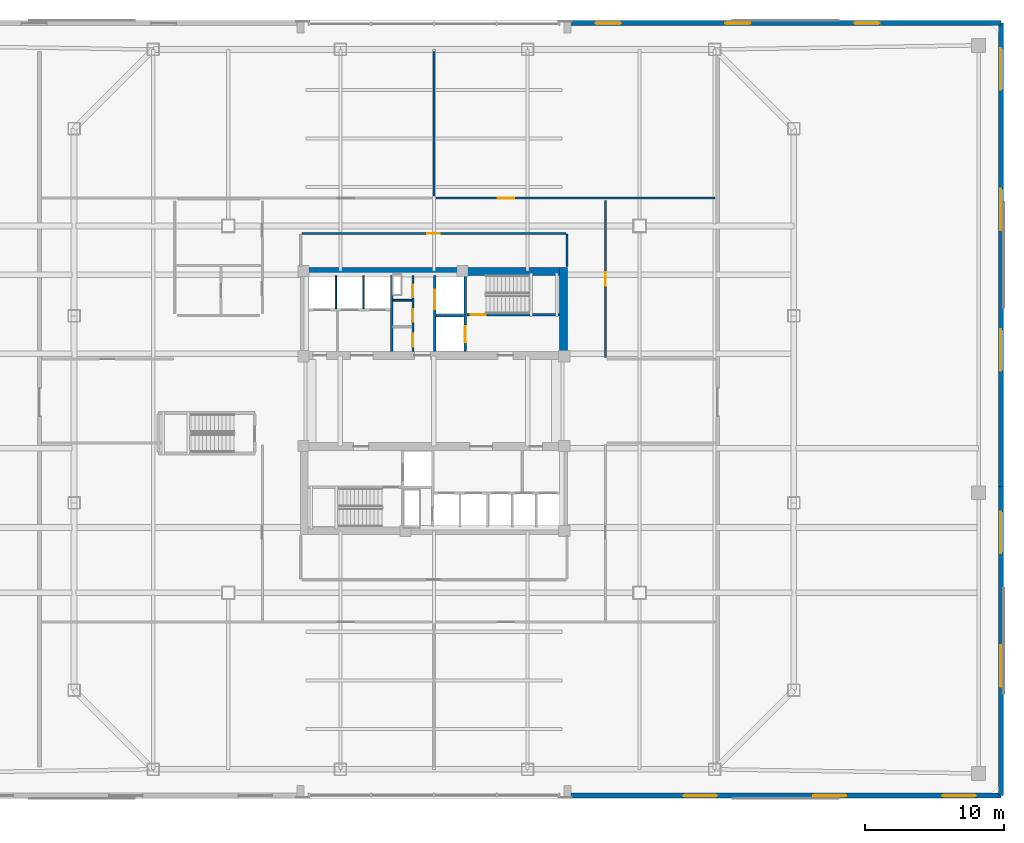
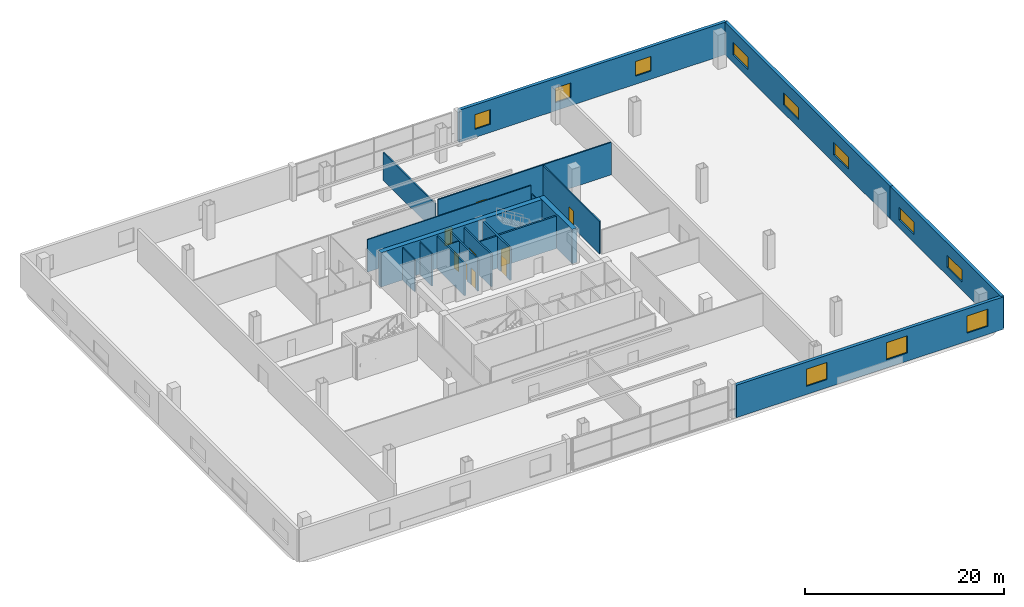
# One storey, part 14 of 21: 20 walls, 11 windows, 9 doors, 20 openings.
"""IFC4 building model written with IfcOpenShell, lengths in metres."""

from ifc_helpers import new_model, si_unit, direction, frame, frame_2d, origin, place, context, subcontext, project, spatial, rectangle, extrude, material, layer, layer_set, type_object, element, fill, save


model = new_model("IFC4")

# Units and contexts
model_context = context("Model", 3, precision=1e-05, world=origin(), true_north=direction((0.0, 1.0)))
body_context = subcontext(model_context, "Body", "Model", "MODEL_VIEW")
ifc_project = project(units=[si_unit("LENGTHUNIT", "METRE"), si_unit("AREAUNIT", "SQUARE_METRE"), si_unit("VOLUMEUNIT", "CUBIC_METRE"), si_unit("PLANEANGLEUNIT", "RADIAN"), si_unit("MASSUNIT", "GRAM", prefix="KILO")], contexts=[model_context])

# Site, building, storey
site_placement = place(None, origin())
site = spatial("IfcSite", under=ifc_project, at=site_placement, CompositionType="ELEMENT")
building_placement = place(site_placement, origin())
building = spatial("IfcBuilding", under=site, at=building_placement, Name="Qhalaya Broadcast Tower", CompositionType="ELEMENT")
storey_placement = place(building_placement, frame((0.0, 0.0, 21.89990234375)))
storey = spatial("IfcBuildingStorey", under=building, at=storey_placement, Name="L05", CompositionType="ELEMENT", Elevation=21.89990234375)

# Wall, openings, doors
ifc_material_1 = material(Name="Gypsum Acoustic Partition")
ifc_layer_1 = layer(ifc_material_1, 0.14990234375, Name="Gypsum Acoustic Partition")
ifc_layer_set_1 = layer_set([ifc_layer_1], Name="Gypsum Acoustic Partition")
wall_type_1 = type_object("IfcWallType", Name="Corridor & Tenancy Acoustic Partition 150", PredefinedType="PARTITIONING", material=ifc_layer_set_1)
wall_1_placement = place(storey_placement, frame((-1.52001953125, 4.169921875, 0.0), z_axis=(0.0, 0.0, 1.0), x_axis=(0.0, 1.0, 0.0)))
wall_1 = element("IfcWall", 1, at=wall_1_placement, inside=storey, type_object=wall_type_1, Name="L05 Partition Wall NCW-SVL", PredefinedType="PARTITIONING", context=body_context, shape_type="SweptSolid", body=[
    extrude(rectangle(XDim=5.4599609375, YDim=0.14990234375, at=frame_2d((2.72998046875, 0.0))), origin(), (0.0, 0.0, 1.0), 3.97998046875),
])
opening_1_placement = place(wall_1_placement, frame((3.89990234375, 0.0, 0.0)))
opening_1 = element("IfcOpeningElement", 2, at=opening_1_placement, cuts=wall_1, Name="Opening D06", PredefinedType="OPENING", context=body_context, shape_type="SweptSolid", body=[
    extrude(rectangle(XDim=0.89990234375, YDim=2.050048828125, at=frame_2d((0.449951171875, 1.02490234375))), frame((0.0, 0.0869140625, 0.0), z_axis=(0.0, -1.0, 0.0), x_axis=(1.0, 0.0, 0.0)), (0.0, 0.0, 1.0), 0.173828125),
])
opening_2_placement = place(wall_1_placement, frame((2.14990234375, 0.0, 0.0)))
opening_2 = element("IfcOpeningElement", 3, at=opening_2_placement, cuts=wall_1, Name="Opening D06", PredefinedType="OPENING", context=body_context, shape_type="SweptSolid", body=[
    extrude(rectangle(XDim=0.89990234375, YDim=2.050048828125, at=frame_2d((0.449951171875, 1.02490234375))), frame((0.0, 0.0869140625, 0.0), z_axis=(0.0, -1.0, 0.0), x_axis=(1.0, 0.0, 0.0)), (0.0, 0.0, 1.0), 0.173828125),
])
opening_3_placement = place(wall_1_placement, frame((0.35009765625, 0.0, 0.0)))
opening_3 = element("IfcOpeningElement", 4, at=opening_3_placement, cuts=wall_1, Name="Opening D12", PredefinedType="OPENING", context=body_context, shape_type="SweptSolid", body=[
    extrude(rectangle(XDim=0.919921875, YDim=2.10009765625, at=frame_2d((0.4599609375, 1.050048828125))), frame((0.0, 0.0869140625, 0.0), z_axis=(0.0, -1.0, 0.0), x_axis=(1.0, 0.0, 0.0)), (0.0, 0.0, 1.0), 0.173828125),
])
ifc_material_2 = material(Name="Timber Veneer Acoustic Door", Category="wood")
door_type_1 = type_object("IfcDoorType", Name="Accessible WC & Restroom Door D12", OperationType="NOTDEFINED", PredefinedType="DOOR", material=ifc_material_2)
door_1_placement = place(opening_3_placement, origin())
door_1 = element("IfcDoor", 5, at=door_1_placement, inside=storey, type_object=door_type_1, Name="L05 Door D-NCWC", OperationType="SINGLE_SWING_RIGHT", OverallHeight=2.10009765625, OverallWidth=0.919921875, PredefinedType="DOOR", context=body_context, shape_type="SweptSolid", body=[
    extrude(rectangle(XDim=0.919921875, YDim=2.10009765625, at=frame_2d((0.4599609375, 1.050048828125))), frame((0.0, 0.02490234375, 0.0), z_axis=(0.0, -1.0, 0.0), x_axis=(1.0, 0.0, 0.0)), (0.0, 0.0, 1.0), 0.050048828125),
])
fill(opening_3, door_1)
ifc_material_3 = material(Name="Fire-Rated Steel Door", Category="steel")
door_type_2 = type_object("IfcDoorType", Name="Riser & Electrical Shaft Access Door D06", OperationType="NOTDEFINED", PredefinedType="DOOR", material=ifc_material_3)
door_2_placement = place(opening_1_placement, origin())
door_2 = element("IfcDoor", 6, at=door_2_placement, inside=storey, type_object=door_type_2, Name="L05 Riser Shaft Access Door D-NRSR", OperationType="SINGLE_SWING_RIGHT", OverallHeight=2.050048828125, OverallWidth=0.89990234375, PredefinedType="DOOR", context=body_context, shape_type="SweptSolid", body=[
    extrude(rectangle(XDim=0.89990234375, YDim=2.050048828125, at=frame_2d((0.449951171875, 1.02490234375))), frame((0.0, 0.02490234375, 0.0), z_axis=(0.0, -1.0, 0.0), x_axis=(1.0, 0.0, 0.0)), (0.0, 0.0, 1.0), 0.050048828125),
])
fill(opening_1, door_2)
door_3_placement = place(opening_2_placement, origin())
door_3 = element("IfcDoor", 7, at=door_3_placement, inside=storey, type_object=door_type_2, Name="L05 Door D-NITR", OperationType="SINGLE_SWING_LEFT", OverallHeight=2.050048828125, OverallWidth=0.89990234375, PredefinedType="DOOR", context=body_context, shape_type="SweptSolid", body=[
    extrude(rectangle(XDim=0.89990234375, YDim=2.050048828125, at=frame_2d((0.449951171875, 1.02490234375))), frame((0.0, 0.02490234375, 0.0), z_axis=(0.0, -1.0, 0.0), x_axis=(1.0, 0.0, 0.0)), (0.0, 0.0, 1.0), 0.050048828125),
])
fill(opening_2, door_3)

# Wall, opening, door
wall_2_placement = place(storey_placement, frame((0.159912109375, 15.199951171875, 0.0), z_axis=(0.0, 0.0, 1.0), x_axis=(1.0, 0.0, 0.0)))
wall_2 = element("IfcWall", 8, at=wall_2_placement, inside=storey, type_object=wall_type_1, Name="L05 Partition Wall W-STN1R", PredefinedType="PARTITIONING", context=body_context, shape_type="SweptSolid", body=[
    extrude(rectangle(XDim=20.080078125, YDim=0.14990234375, at=frame_2d((10.0400390625, 0.0))), origin(), (0.0, 0.0, 1.0), 3.97998046875),
])
opening_4_placement = place(wall_2_placement, frame((4.419921875, 0.0, 0.0)))
opening_4 = element("IfcOpeningElement", 9, at=opening_4_placement, cuts=wall_2, Name="Opening D11", PredefinedType="OPENING", context=body_context, shape_type="SweptSolid", body=[
    extrude(rectangle(XDim=1.199951171875, YDim=2.10009765625, at=frame_2d((0.60009765625, 1.050048828125))), frame((0.0, 0.0869140625, 0.0), z_axis=(0.0, -1.0, 0.0), x_axis=(1.0, 0.0, 0.0)), (0.0, 0.0, 1.0), 0.173828125),
])
ifc_material_4 = material(Name="Anodised Aluminium Glazed Door", Category="aluminium")
door_type_3 = type_object("IfcDoorType", Name="Conference, Boardroom & Studio Control Door D11", OperationType="NOTDEFINED", PredefinedType="DOOR", material=ifc_material_4)
door_4_placement = place(opening_4_placement, origin())
door_4 = element("IfcDoor", 10, at=door_4_placement, inside=storey, type_object=door_type_3, Name="L05 Door D-STN2", OperationType="SINGLE_SWING_RIGHT", OverallHeight=2.10009765625, OverallWidth=1.199951171875, PredefinedType="DOOR", context=body_context, shape_type="SweptSolid", body=[
    extrude(rectangle(XDim=1.199951171875, YDim=2.10009765625, at=frame_2d((0.60009765625, 1.050048828125))), frame((0.0, 0.02490234375, 0.0), z_axis=(0.0, -1.0, 0.0), x_axis=(1.0, 0.0, 0.0)), (0.0, 0.0, 1.0), 0.050048828125),
])
fill(opening_4, door_4)

# Wall
wall_3_placement = place(storey_placement, frame((0.0, 15.360107421875, 0.0), z_axis=(0.0, 0.0, 1.0), x_axis=(0.0, 1.0, 0.0)))
element("IfcWall", 11, at=wall_3_placement, inside=storey, type_object=wall_type_1, Name="L05 Partition Wall W-STMN", PredefinedType="PARTITIONING", context=body_context, shape_type="SweptSolid", body=[
    extrude(rectangle(XDim=10.3798828125, YDim=0.14990234375, at=frame_2d((5.18994140625, 0.0))), origin(), (0.0, 0.0, 1.0), 3.424072265625),
])

# Wall, opening, door
wall_4_placement = place(storey_placement, frame((12.35009765625, 3.739990234375, 0.0), z_axis=(0.0, 0.0, 1.0), x_axis=(0.0, 1.0, 0.0)))
wall_4 = element("IfcWall", 12, at=wall_4_placement, inside=storey, type_object=wall_type_1, Name="L05 Partition Wall W-STPEN", PredefinedType="PARTITIONING", context=body_context, shape_type="SweptSolid", body=[
    extrude(rectangle(XDim=11.300048828125, YDim=0.14990234375, at=frame_2d((5.64990234375, 0.0))), origin(), (0.0, 0.0, 1.0), 3.97998046875),
])
opening_5_placement = place(wall_4_placement, frame((5.175048828125, 0.0, 0.0)))
opening_5 = element("IfcOpeningElement", 13, at=opening_5_placement, cuts=wall_4, Name="Opening D10", PredefinedType="OPENING", context=body_context, shape_type="SweptSolid", body=[
    extrude(rectangle(XDim=0.949951171875, YDim=2.10009765625, at=frame_2d((0.47509765625, 1.050048828125))), frame((0.0, 0.0869140625, 0.0), z_axis=(0.0, -1.0, 0.0), x_axis=(1.0, 0.0, 0.0)), (0.0, 0.0, 1.0), 0.173828125),
])
door_type_4 = type_object("IfcDoorType", Name="Cellular Office & Edit Booth Door D10", OperationType="NOTDEFINED", PredefinedType="DOOR", material=ifc_material_2)
door_5_placement = place(opening_5_placement, origin())
door_5 = element("IfcDoor", 14, at=door_5_placement, inside=storey, type_object=door_type_4, Name="L05 Door D-STPE2", OperationType="SINGLE_SWING_LEFT", OverallHeight=2.10009765625, OverallWidth=0.949951171875, PredefinedType="DOOR", context=body_context, shape_type="SweptSolid", body=[
    extrude(rectangle(XDim=0.949951171875, YDim=2.10009765625, at=frame_2d((0.47509765625, 1.050048828125))), frame((0.0, 0.02490234375, 0.0), z_axis=(0.0, -1.0, 0.0), x_axis=(1.0, 0.0, 0.0)), (0.0, 0.0, 1.0), 0.050048828125),
])
fill(opening_5, door_5)

# Wall, openings, windows
ifc_material_5 = material(Name="Precast Concrete C40/50", Category="concrete")
ifc_layer_2 = layer(ifc_material_5, 0.360107421875, Name="Precast Concrete C40/50")
ifc_layer_set_2 = layer_set([ifc_layer_2], Name="Precast Concrete C40/50")
wall_type_2 = type_object("IfcWallType", Name="Insulated Precast Terracotta Exterior Wall 360", PredefinedType="SOLIDWALL", material=ifc_layer_set_2)
wall_5_placement = place(storey_placement, frame((40.800048828125, -27.800048828125, 0.0), z_axis=(0.0, 0.0, 1.0), x_axis=(-1.0, 0.0, 0.0)))
wall_5 = element("IfcWall", 15, at=wall_5_placement, inside=storey, type_object=wall_type_2, Name="L05 Podium Exterior Terracotta Wall EW-SE", PredefinedType="SOLIDWALL", context=body_context, shape_type="SweptSolid", body=[
    extrude(rectangle(XDim=30.9599609375, YDim=0.360107421875, at=frame_2d((15.47998046875, 0.0))), origin(), (0.0, 0.0, 1.0), 3.97998046875),
])
opening_6_placement = place(wall_5_placement, frame((1.800048828125, 0.0, 1.0)))
opening_6 = element("IfcOpeningElement", 16, at=opening_6_placement, cuts=wall_5, Name="Opening W01", PredefinedType="OPENING", context=body_context, shape_type="SweptSolid", body=[
    extrude(rectangle(XDim=2.39990234375, YDim=2.10009765625, at=frame_2d((1.199951171875, 1.050048828125))), frame((0.0, 0.192138671875, 0.0), z_axis=(0.0, -1.0, 0.0), x_axis=(1.0, 0.0, 0.0)), (0.0, 0.0, 1.0), 0.384033203125),
])
opening_7_placement = place(wall_5_placement, frame((11.1201171875, 0.0, 1.0)))
opening_7 = element("IfcOpeningElement", 17, at=opening_7_placement, cuts=wall_5, Name="Opening W01", PredefinedType="OPENING", context=body_context, shape_type="SweptSolid", body=[
    extrude(rectangle(XDim=2.39990234375, YDim=2.10009765625, at=frame_2d((1.199951171875, 1.050048828125))), frame((0.0, 0.192138671875, 0.0), z_axis=(0.0, -1.0, 0.0), x_axis=(1.0, 0.0, 0.0)), (0.0, 0.0, 1.0), 0.384033203125),
])
opening_8_placement = place(wall_5_placement, frame((20.43994140625, 0.0, 1.0)))
opening_8 = element("IfcOpeningElement", 18, at=opening_8_placement, cuts=wall_5, Name="Opening W01", PredefinedType="OPENING", context=body_context, shape_type="SweptSolid", body=[
    extrude(rectangle(XDim=2.39990234375, YDim=2.10009765625, at=frame_2d((1.199951171875, 1.050048828125))), frame((0.0, 0.192138671875, 0.0), z_axis=(0.0, -1.0, 0.0), x_axis=(1.0, 0.0, 0.0)), (0.0, 0.0, 1.0), 0.384033203125),
])
ifc_material_6 = material(Name="Solar-Control Low-E Triple Glazing", Category="glass")
window_type_1 = type_object("IfcWindowType", Name="Podium Broadcast Studio Acoustic Window W01", PartitioningType="SINGLE_PANEL", PredefinedType="WINDOW", material=ifc_material_6)
window_1_placement = place(opening_6_placement, origin())
window_1 = element("IfcWindow", 19, at=window_1_placement, inside=storey, type_object=window_type_1, Name="L05 Facade Window W01-1", OverallHeight=2.10009765625, OverallWidth=2.39990234375, PartitioningType="SINGLE_PANEL", PredefinedType="WINDOW", context=body_context, shape_type="SweptSolid", body=[
    extrude(rectangle(XDim=2.39990234375, YDim=2.10009765625, at=frame_2d((1.199951171875, 1.050048828125))), frame((0.0, 0.030029296875, 0.0), z_axis=(0.0, -1.0, 0.0), x_axis=(1.0, 0.0, 0.0)), (0.0, 0.0, 1.0), 0.06005859375),
])
fill(opening_6, window_1)
window_2_placement = place(opening_7_placement, origin())
window_2 = element("IfcWindow", 20, at=window_2_placement, inside=storey, type_object=window_type_1, Name="L05 Facade Window W01-2", OverallHeight=2.10009765625, OverallWidth=2.39990234375, PartitioningType="SINGLE_PANEL", PredefinedType="WINDOW", context=body_context, shape_type="SweptSolid", body=[
    extrude(rectangle(XDim=2.39990234375, YDim=2.10009765625, at=frame_2d((1.199951171875, 1.050048828125))), frame((0.0, 0.030029296875, 0.0), z_axis=(0.0, -1.0, 0.0), x_axis=(1.0, 0.0, 0.0)), (0.0, 0.0, 1.0), 0.06005859375),
])
fill(opening_7, window_2)
window_3_placement = place(opening_8_placement, origin())
window_3 = element("IfcWindow", 21, at=window_3_placement, inside=storey, type_object=window_type_1, Name="L05 Facade Window W01-3", OverallHeight=2.10009765625, OverallWidth=2.39990234375, PartitioningType="SINGLE_PANEL", PredefinedType="WINDOW", context=body_context, shape_type="SweptSolid", body=[
    extrude(rectangle(XDim=2.39990234375, YDim=2.10009765625, at=frame_2d((1.199951171875, 1.050048828125))), frame((0.0, 0.030029296875, 0.0), z_axis=(0.0, -1.0, 0.0), x_axis=(1.0, 0.0, 0.0)), (0.0, 0.0, 1.0), 0.06005859375),
])
fill(opening_8, window_3)

wall_6_placement = place(storey_placement, frame((9.840087890625, 27.800048828125, 0.0), z_axis=(0.0, 0.0, 1.0), x_axis=(1.0, 0.0, 0.0)))
wall_6 = element("IfcWall", 22, at=wall_6_placement, inside=storey, type_object=wall_type_2, Name="L05 Podium Exterior Terracotta Wall EW-NE", PredefinedType="SOLIDWALL", context=body_context, shape_type="SweptSolid", body=[
    extrude(rectangle(XDim=30.9599609375, YDim=0.360107421875, at=frame_2d((15.47998046875, 0.0))), origin(), (0.0, 0.0, 1.0), 3.97998046875),
])
opening_9_placement = place(wall_6_placement, frame((1.800048828125, 0.0, 1.0)))
opening_9 = element("IfcOpeningElement", 23, at=opening_9_placement, cuts=wall_6, Name="Opening W02", PredefinedType="OPENING", context=body_context, shape_type="SweptSolid", body=[
    extrude(rectangle(XDim=1.800048828125, YDim=1.800048828125, at=frame_2d((0.89990234375, 0.89990234375))), frame((0.0, 0.192138671875, 0.0), z_axis=(0.0, -1.0, 0.0), x_axis=(1.0, 0.0, 0.0)), (0.0, 0.0, 1.0), 0.384033203125),
])
opening_10_placement = place(wall_6_placement, frame((11.1201171875, 0.0, 1.0)))
opening_10 = element("IfcOpeningElement", 24, at=opening_10_placement, cuts=wall_6, Name="Opening W02", PredefinedType="OPENING", context=body_context, shape_type="SweptSolid", body=[
    extrude(rectangle(XDim=1.800048828125, YDim=1.800048828125, at=frame_2d((0.89990234375, 0.89990234375))), frame((0.0, 0.192138671875, 0.0), z_axis=(0.0, -1.0, 0.0), x_axis=(1.0, 0.0, 0.0)), (0.0, 0.0, 1.0), 0.384033203125),
])
opening_11_placement = place(wall_6_placement, frame((20.43994140625, 0.0, 1.0)))
opening_11 = element("IfcOpeningElement", 25, at=opening_11_placement, cuts=wall_6, Name="Opening W02", PredefinedType="OPENING", context=body_context, shape_type="SweptSolid", body=[
    extrude(rectangle(XDim=1.800048828125, YDim=1.800048828125, at=frame_2d((0.89990234375, 0.89990234375))), frame((0.0, 0.192138671875, 0.0), z_axis=(0.0, -1.0, 0.0), x_axis=(1.0, 0.0, 0.0)), (0.0, 0.0, 1.0), 0.384033203125),
])
window_type_2 = type_object("IfcWindowType", Name="Podium Production Office Window W02", PartitioningType="SINGLE_PANEL", PredefinedType="WINDOW", material=ifc_material_6)
window_4_placement = place(opening_9_placement, origin())
window_4 = element("IfcWindow", 26, at=window_4_placement, inside=storey, type_object=window_type_2, Name="L05 Facade Window W02-1", OverallHeight=1.800048828125, OverallWidth=1.800048828125, PartitioningType="SINGLE_PANEL", PredefinedType="WINDOW", context=body_context, shape_type="SweptSolid", body=[
    extrude(rectangle(XDim=1.800048828125, YDim=1.800048828125, at=frame_2d((0.89990234375, 0.89990234375))), frame((0.0, 0.030029296875, 0.0), z_axis=(0.0, -1.0, 0.0), x_axis=(1.0, 0.0, 0.0)), (0.0, 0.0, 1.0), 0.06005859375),
])
fill(opening_9, window_4)
window_5_placement = place(opening_10_placement, origin())
window_5 = element("IfcWindow", 27, at=window_5_placement, inside=storey, type_object=window_type_2, Name="L05 Facade Window W02-2", OverallHeight=1.800048828125, OverallWidth=1.800048828125, PartitioningType="SINGLE_PANEL", PredefinedType="WINDOW", context=body_context, shape_type="SweptSolid", body=[
    extrude(rectangle(XDim=1.800048828125, YDim=1.800048828125, at=frame_2d((0.89990234375, 0.89990234375))), frame((0.0, 0.030029296875, 0.0), z_axis=(0.0, -1.0, 0.0), x_axis=(1.0, 0.0, 0.0)), (0.0, 0.0, 1.0), 0.06005859375),
])
fill(opening_10, window_5)
window_6_placement = place(opening_11_placement, origin())
window_6 = element("IfcWindow", 28, at=window_6_placement, inside=storey, type_object=window_type_2, Name="L05 Facade Window W02-3", OverallHeight=1.800048828125, OverallWidth=1.800048828125, PartitioningType="SINGLE_PANEL", PredefinedType="WINDOW", context=body_context, shape_type="SweptSolid", body=[
    extrude(rectangle(XDim=1.800048828125, YDim=1.800048828125, at=frame_2d((0.89990234375, 0.89990234375))), frame((0.0, 0.030029296875, 0.0), z_axis=(0.0, -1.0, 0.0), x_axis=(1.0, 0.0, 0.0)), (0.0, 0.0, 1.0), 0.06005859375),
])
fill(opening_11, window_6)

wall_7_placement = place(storey_placement, frame((40.800048828125, -5.550048828125, 0.0), z_axis=(0.0, 0.0, 1.0), x_axis=(0.0, -1.0, 0.0)))
wall_7 = element("IfcWall", 29, at=wall_7_placement, inside=storey, type_object=wall_type_2, Name="L05 Podium Exterior Terracotta Wall EW-ES", PredefinedType="SOLIDWALL", context=body_context, shape_type="SweptSolid", body=[
    extrude(rectangle(XDim=22.25, YDim=0.360107421875, at=frame_2d((11.125, 0.0))), origin(), (0.0, 0.0, 1.0), 3.97998046875),
])
opening_12_placement = place(wall_7_placement, frame((1.800048828125, 0.0, 1.0)))
opening_12 = element("IfcOpeningElement", 30, at=opening_12_placement, cuts=wall_7, Name="Opening W03", PredefinedType="OPENING", context=body_context, shape_type="SweptSolid", body=[
    extrude(rectangle(XDim=3.0, YDim=1.5, at=frame_2d((1.5, 0.75))), frame((0.0, 0.192138671875, 0.0), z_axis=(0.0, -1.0, 0.0), x_axis=(1.0, 0.0, 0.0)), (0.0, 0.0, 1.0), 0.384033203125),
])
opening_13_placement = place(wall_7_placement, frame((11.425048828125, 0.0, 1.0)))
opening_13 = element("IfcOpeningElement", 31, at=opening_13_placement, cuts=wall_7, Name="Opening W03", PredefinedType="OPENING", context=body_context, shape_type="SweptSolid", body=[
    extrude(rectangle(XDim=3.0, YDim=1.5, at=frame_2d((1.5, 0.75))), frame((0.0, 0.192138671875, 0.0), z_axis=(0.0, -1.0, 0.0), x_axis=(1.0, 0.0, 0.0)), (0.0, 0.0, 1.0), 0.384033203125),
])
window_type_3 = type_object("IfcWindowType", Name="Podium Concourse Clerestory Window W03", PartitioningType="SINGLE_PANEL", PredefinedType="WINDOW", material=ifc_material_6)
window_7_placement = place(opening_12_placement, origin())
window_7 = element("IfcWindow", 32, at=window_7_placement, inside=storey, type_object=window_type_3, Name="L05 Facade Window W03-1", OverallHeight=1.5, OverallWidth=3.0, PartitioningType="SINGLE_PANEL", PredefinedType="WINDOW", context=body_context, shape_type="SweptSolid", body=[
    extrude(rectangle(XDim=3.0, YDim=1.5, at=frame_2d((1.5, 0.75))), frame((0.0, 0.030029296875, 0.0), z_axis=(0.0, -1.0, 0.0), x_axis=(1.0, 0.0, 0.0)), (0.0, 0.0, 1.0), 0.06005859375),
])
fill(opening_12, window_7)
window_8_placement = place(opening_13_placement, origin())
window_8 = element("IfcWindow", 33, at=window_8_placement, inside=storey, type_object=window_type_3, Name="L05 Facade Window W03-2", OverallHeight=1.5, OverallWidth=3.0, PartitioningType="SINGLE_PANEL", PredefinedType="WINDOW", context=body_context, shape_type="SweptSolid", body=[
    extrude(rectangle(XDim=3.0, YDim=1.5, at=frame_2d((1.5, 0.75))), frame((0.0, 0.030029296875, 0.0), z_axis=(0.0, -1.0, 0.0), x_axis=(1.0, 0.0, 0.0)), (0.0, 0.0, 1.0), 0.06005859375),
])
fill(opening_13, window_8)

wall_8_placement = place(storey_placement, frame((40.800048828125, 27.800048828125, 0.0), z_axis=(0.0, 0.0, 1.0), x_axis=(0.0, -1.0, 0.0)))
wall_8 = element("IfcWall", 34, at=wall_8_placement, inside=storey, type_object=wall_type_2, Name="L05 Podium Exterior Terracotta Wall EW-EN", PredefinedType="SOLIDWALL", context=body_context, shape_type="SweptSolid", body=[
    extrude(rectangle(XDim=33.35009765625, YDim=0.360107421875, at=frame_2d((16.675048828125, 0.0))), origin(), (0.0, 0.0, 1.0), 3.97998046875),
])
opening_14_placement = place(wall_8_placement, frame((1.800048828125, 0.0, 1.0)))
opening_14 = element("IfcOpeningElement", 35, at=opening_14_placement, cuts=wall_8, Name="Opening W03", PredefinedType="OPENING", context=body_context, shape_type="SweptSolid", body=[
    extrude(rectangle(XDim=3.0, YDim=1.5, at=frame_2d((1.5, 0.75))), frame((0.0, 0.192138671875, 0.0), z_axis=(0.0, -1.0, 0.0), x_axis=(1.0, 0.0, 0.0)), (0.0, 0.0, 1.0), 0.384033203125),
])
opening_15_placement = place(wall_8_placement, frame((11.9169921875, 0.0, 1.0)))
opening_15 = element("IfcOpeningElement", 36, at=opening_15_placement, cuts=wall_8, Name="Opening W03", PredefinedType="OPENING", context=body_context, shape_type="SweptSolid", body=[
    extrude(rectangle(XDim=3.0, YDim=1.5, at=frame_2d((1.5, 0.75))), frame((0.0, 0.192138671875, 0.0), z_axis=(0.0, -1.0, 0.0), x_axis=(1.0, 0.0, 0.0)), (0.0, 0.0, 1.0), 0.384033203125),
])
opening_16_placement = place(wall_8_placement, frame((22.032958984375, 0.0, 1.0)))
opening_16 = element("IfcOpeningElement", 37, at=opening_16_placement, cuts=wall_8, Name="Opening W03", PredefinedType="OPENING", context=body_context, shape_type="SweptSolid", body=[
    extrude(rectangle(XDim=3.0, YDim=1.5, at=frame_2d((1.5, 0.75))), frame((0.0, 0.192138671875, 0.0), z_axis=(0.0, -1.0, 0.0), x_axis=(1.0, 0.0, 0.0)), (0.0, 0.0, 1.0), 0.384033203125),
])
window_9_placement = place(opening_14_placement, origin())
window_9 = element("IfcWindow", 38, at=window_9_placement, inside=storey, type_object=window_type_3, Name="L05 Facade Window W03-1", OverallHeight=1.5, OverallWidth=3.0, PartitioningType="SINGLE_PANEL", PredefinedType="WINDOW", context=body_context, shape_type="SweptSolid", body=[
    extrude(rectangle(XDim=3.0, YDim=1.5, at=frame_2d((1.5, 0.75))), frame((0.0, 0.030029296875, 0.0), z_axis=(0.0, -1.0, 0.0), x_axis=(1.0, 0.0, 0.0)), (0.0, 0.0, 1.0), 0.06005859375),
])
fill(opening_14, window_9)
window_10_placement = place(opening_15_placement, origin())
window_10 = element("IfcWindow", 39, at=window_10_placement, inside=storey, type_object=window_type_3, Name="L05 Facade Window W03-2", OverallHeight=1.5, OverallWidth=3.0, PartitioningType="SINGLE_PANEL", PredefinedType="WINDOW", context=body_context, shape_type="SweptSolid", body=[
    extrude(rectangle(XDim=3.0, YDim=1.5, at=frame_2d((1.5, 0.75))), frame((0.0, 0.030029296875, 0.0), z_axis=(0.0, -1.0, 0.0), x_axis=(1.0, 0.0, 0.0)), (0.0, 0.0, 1.0), 0.06005859375),
])
fill(opening_15, window_10)
window_11_placement = place(opening_16_placement, origin())
window_11 = element("IfcWindow", 40, at=window_11_placement, inside=storey, type_object=window_type_3, Name="L05 Facade Window W03-3", OverallHeight=1.5, OverallWidth=3.0, PartitioningType="SINGLE_PANEL", PredefinedType="WINDOW", context=body_context, shape_type="SweptSolid", body=[
    extrude(rectangle(XDim=3.0, YDim=1.5, at=frame_2d((1.5, 0.75))), frame((0.0, 0.030029296875, 0.0), z_axis=(0.0, -1.0, 0.0), x_axis=(1.0, 0.0, 0.0)), (0.0, 0.0, 1.0), 0.06005859375),
])
fill(opening_16, window_11)

# Wall, opening, door
ifc_material_7 = material(Name="Concrete C50/60", Category="concrete")
ifc_layer_3 = layer(ifc_material_7, 0.199951171875, Name="Concrete C50/60")
ifc_layer_set_3 = layer_set([ifc_layer_3], Name="Concrete C50/60")
wall_type_3 = type_object("IfcWallType", Name="Load-Bearing Stair Shaft Wall 200", PredefinedType="SHEAR", material=ifc_layer_set_3)
wall_9_placement = place(storey_placement, frame((2.360107421875, 6.804931640625, 0.0), z_axis=(0.0, 0.0, 1.0), x_axis=(1.0, 0.0, 0.0)))
wall_9 = element("IfcWall", 41, at=wall_9_placement, inside=storey, type_object=wall_type_3, Name="L05 Stair Core Shear Wall NCW-ST1", PredefinedType="SHEAR", context=body_context, shape_type="SweptSolid", body=[
    extrude(rectangle(XDim=6.669921875, YDim=0.199951171875, at=frame_2d((3.3349609375, 0.0))), origin(), (0.0, 0.0, 1.0), 3.97998046875),
])
opening_17_placement = place(wall_9_placement, frame((0.300048828125, 0.0, 0.0)))
opening_17 = element("IfcOpeningElement", 42, at=opening_17_placement, cuts=wall_9, Name="Opening D03", PredefinedType="OPENING", context=body_context, shape_type="SweptSolid", body=[
    extrude(rectangle(XDim=1.050048828125, YDim=2.080078125, at=frame_2d((0.52490234375, 1.0400390625))), frame((0.0, 0.112060546875, 0.0), z_axis=(0.0, -1.0, 0.0), x_axis=(1.0, 0.0, 0.0)), (0.0, 0.0, 1.0), 0.223876953125),
])
door_type_5 = type_object("IfcDoorType", Name="Core Stair Protected Fire Door D03", OperationType="NOTDEFINED", PredefinedType="DOOR", material=ifc_material_3)
door_6_placement = place(opening_17_placement, origin())
door_6 = element("IfcDoor", 43, at=door_6_placement, inside=storey, type_object=door_type_5, Name="L05 Door D-NST1", OperationType="SINGLE_SWING_LEFT", OverallHeight=2.080078125, OverallWidth=1.050048828125, PredefinedType="DOOR", context=body_context, shape_type="SweptSolid", body=[
    extrude(rectangle(XDim=1.050048828125, YDim=2.080078125, at=frame_2d((0.52490234375, 1.0400390625))), frame((0.0, 0.02490234375, 0.0), z_axis=(0.0, -1.0, 0.0), x_axis=(1.0, 0.0, 0.0)), (0.0, 0.0, 1.0), 0.050048828125),
])
fill(opening_17, door_6)

wall_10_placement = place(storey_placement, frame((2.25, 4.169921875, 0.0), z_axis=(0.0, 0.0, 1.0), x_axis=(0.0, 1.0, 0.0)))
wall_10 = element("IfcWall", 44, at=wall_10_placement, inside=storey, type_object=wall_type_3, Name="L05 Stair Core Shear Wall NCW-FF", PredefinedType="SHEAR", context=body_context, shape_type="SweptSolid", body=[
    extrude(rectangle(XDim=5.4599609375, YDim=0.199951171875, at=frame_2d((2.72998046875, 0.0))), origin(), (0.0, 0.0, 1.0), 3.97998046875),
])
opening_18_placement = place(wall_10_placement, frame((0.64990234375, 0.0, 0.0)))
opening_18 = element("IfcOpeningElement", 45, at=opening_18_placement, cuts=wall_10, Name="Opening LD2", PredefinedType="OPENING", context=body_context, shape_type="SweptSolid", body=[
    extrude(rectangle(XDim=1.14990234375, YDim=2.080078125, at=frame_2d((0.574951171875, 1.0400390625))), frame((0.0, 0.112060546875, 0.0), z_axis=(0.0, -1.0, 0.0), x_axis=(1.0, 0.0, 0.0)), (0.0, 0.0, 1.0), 0.223876953125),
])
ifc_material_8 = material(Name="Brushed Stainless Steel Lift Door", Category="steel")
door_type_6 = type_object("IfcDoorType", Name="Firefighting Lift Sliding Landing Door LD2", OperationType="DOUBLE_DOOR_SLIDING", PredefinedType="DOOR", material=ifc_material_8)
door_7_placement = place(opening_18_placement, origin())
door_7 = element("IfcDoor", 46, at=door_7_placement, inside=storey, type_object=door_type_6, Name="L05 Door LD-FF1", OperationType="DOUBLE_DOOR_SLIDING", OverallHeight=2.080078125, OverallWidth=1.14990234375, PredefinedType="DOOR", context=body_context, shape_type="SweptSolid", body=[
    extrude(rectangle(XDim=1.14990234375, YDim=2.080078125, at=frame_2d((0.574951171875, 1.0400390625))), frame((0.0, 0.02490234375, 0.0), z_axis=(0.0, -1.0, 0.0), x_axis=(1.0, 0.0, 0.0)), (0.0, 0.0, 1.0), 0.050048828125),
])
fill(opening_18, door_7)

# Walls
ifc_material_9 = material(Name="Concrete C60/75", Category="concrete")
ifc_layer_4 = layer(ifc_material_9, 0.550048828125, Name="Concrete C60/75")
ifc_layer_set_4 = layer_set([ifc_layer_4], Name="Concrete C60/75")
wall_type_4 = type_object("IfcWallType", Name="Lower Split-Core Shear Wall 550", PredefinedType="SHEAR", material=ifc_layer_set_4)
wall_11_placement = place(storey_placement, frame((-9.60009765625, 9.925048828125, 0.0), z_axis=(0.0, 0.0, 1.0), x_axis=(1.0, 0.0, 0.0)))
element("IfcWall", 47, at=wall_11_placement, inside=storey, type_object=wall_type_4, Name="L05 Split-Core Shear Wall CW-NN", PredefinedType="SHEAR", context=body_context, shape_type="SweptSolid", body=[
    extrude(rectangle(XDim=19.2001953125, YDim=0.550048828125, at=frame_2d((9.60009765625, 0.0))), origin(), (0.0, 0.0, 1.0), 4.2001953125),
])
wall_12_placement = place(storey_placement, frame((9.324951171875, 3.60009765625, 0.0), z_axis=(0.0, 0.0, 1.0), x_axis=(0.0, 1.0, 0.0)))
element("IfcWall", 48, at=wall_12_placement, inside=storey, type_object=wall_type_4, Name="L05 Split-Core Shear Wall CW-NE", PredefinedType="SHEAR", context=body_context, shape_type="SweptSolid", body=[
    extrude(rectangle(XDim=6.599853515625, YDim=0.550048828125, at=frame_2d((3.2998046875, 0.0))), origin(), (0.0, 0.0, 1.0), 4.2001953125),
])
ifc_layer_5 = layer(ifc_material_1, 0.1201171875, Name="Gypsum Acoustic Partition")
ifc_layer_set_5 = layer_set([ifc_layer_5], Name="Gypsum Acoustic Partition")
wall_type_5 = type_object("IfcWallType", Name="Office, Booth & Sanitary Partition 120", PredefinedType="PARTITIONING", material=ifc_layer_set_5)
wall_13_placement = place(storey_placement, frame((-2.9599609375, 7.85009765625, 0.0), z_axis=(0.0, 0.0, 1.0), x_axis=(1.0, 0.0, 0.0)))
element("IfcWall", 49, at=wall_13_placement, inside=storey, type_object=wall_type_5, Name="L05 Partition Wall NCW-VB2", PredefinedType="PARTITIONING", context=body_context, shape_type="SweptSolid", body=[
    extrude(rectangle(XDim=1.35986328125, YDim=0.1201171875, at=frame_2d((0.679931640625, 0.0))), origin(), (0.0, 0.0, 1.0), 3.97998046875),
])
for number, where, z_axis, x_axis, name in (
    (50, (-7.06005859375, 7.25, 0.0), (0.0, 0.0, 1.0), (0.0, 1.0, 0.0), "L05 Partition Wall NCW-PD1"),
    (51, (-5.06005859375, 7.25, 0.0), (0.0, 0.0, 1.0), (0.0, 1.0, 0.0), "L05 Partition Wall NCW-PD2"),
):
    element("IfcWall", number, at=place(storey_placement, frame(where, z_axis=z_axis, x_axis=x_axis)), inside=storey, type_object=wall_type_5, Name=name, PredefinedType="PARTITIONING", context=body_context, shape_type="SweptSolid", body=[
        extrude(rectangle(XDim=2.3798828125, YDim=0.1201171875, at=frame_2d((1.18994140625, 0.0))), origin(), (0.0, 0.0, 1.0), 3.97998046875),
    ])

# Wall, opening, door
wall_14_placement = place(storey_placement, frame((-9.489990234375, 12.659912109375, 0.0), z_axis=(0.0, 0.0, 1.0), x_axis=(1.0, 0.0, 0.0)))
wall_14 = element("IfcWall", 52, at=wall_14_placement, inside=storey, type_object=wall_type_5, Name="L05 Partition Wall W-PCSHN", PredefinedType="PARTITIONING", context=body_context, shape_type="SweptSolid", body=[
    extrude(rectangle(XDim=18.97998046875, YDim=0.1201171875, at=frame_2d((9.489990234375, 0.0))), origin(), (0.0, 0.0, 1.0), 3.97998046875),
])
opening_19_placement = place(wall_14_placement, frame((9.014892578125, 0.0, 0.0)))
opening_19 = element("IfcOpeningElement", 53, at=opening_19_placement, cuts=wall_14, Name="Opening D06", PredefinedType="OPENING", context=body_context, shape_type="SweptSolid", body=[
    extrude(rectangle(XDim=0.89990234375, YDim=2.050048828125, at=frame_2d((0.449951171875, 1.02490234375))), frame((0.0, 0.072021484375, 0.0), z_axis=(0.0, -1.0, 0.0), x_axis=(1.0, 0.0, 0.0)), (0.0, 0.0, 1.0), 0.14404296875),
])
door_8_placement = place(opening_19_placement, origin())
door_8 = element("IfcDoor", 54, at=door_8_placement, inside=storey, type_object=door_type_2, Name="L05 Door D-PCSHN", OperationType="SINGLE_SWING_LEFT", OverallHeight=2.050048828125, OverallWidth=0.89990234375, PredefinedType="DOOR", context=body_context, shape_type="SweptSolid", body=[
    extrude(rectangle(XDim=0.89990234375, YDim=2.050048828125, at=frame_2d((0.449951171875, 1.02490234375))), frame((0.0, 0.02490234375, 0.0), z_axis=(0.0, -1.0, 0.0), x_axis=(1.0, 0.0, 0.0)), (0.0, 0.0, 1.0), 0.050048828125),
])
fill(opening_19, door_8)

# Wall
wall_15_placement = place(storey_placement, frame((9.580078125, 10.31005859375, 0.0), z_axis=(0.0, 0.0, 1.0), x_axis=(0.0, 1.0, 0.0)))
element("IfcWall", 55, at=wall_15_placement, inside=storey, type_object=wall_type_5, Name="L05 Partition Wall W-PCSHNE", PredefinedType="PARTITIONING", context=body_context, shape_type="SweptSolid", body=[
    extrude(rectangle(XDim=2.280029296875, YDim=0.1201171875, at=frame_2d((1.14013671875, 0.0))), origin(), (0.0, 0.0, 1.0), 2.94921875),
])

# Wall, opening, door
ifc_layer_6 = layer(ifc_material_1, 0.175048828125, Name="Gypsum Acoustic Partition")
ifc_layer_set_6 = layer_set([ifc_layer_6], Name="Gypsum Acoustic Partition")
wall_type_6 = type_object("IfcWallType", Name="Shaft & Riser Fire Partition 175", PredefinedType="PARTITIONING", material=ifc_layer_set_6)
wall_16_placement = place(storey_placement, frame((0.06005859375, 4.169921875, 0.0), z_axis=(0.0, 0.0, 1.0), x_axis=(0.0, 1.0, 0.0)))
wall_16 = element("IfcWall", 56, at=wall_16_placement, inside=storey, type_object=wall_type_6, Name="L05 Partition Wall NCW-SVW", PredefinedType="PARTITIONING", context=body_context, shape_type="SweptSolid", body=[
    extrude(rectangle(XDim=5.4599609375, YDim=0.175048828125, at=frame_2d((2.72998046875, 0.0))), origin(), (0.0, 0.0, 1.0), 3.97998046875),
])
opening_20_placement = place(wall_16_placement, frame((3.050048828125, 0.0, 0.0)))
opening_20 = element("IfcOpeningElement", 57, at=opening_20_placement, cuts=wall_16, Name="Opening LD3", PredefinedType="OPENING", context=body_context, shape_type="SweptSolid", body=[
    extrude(rectangle(XDim=1.39990234375, YDim=2.1201171875, at=frame_2d((0.699951171875, 1.06005859375))), frame((0.0, 0.099609375, 0.0), z_axis=(0.0, -1.0, 0.0), x_axis=(1.0, 0.0, 0.0)), (0.0, 0.0, 1.0), 0.198974609375),
])
door_type_7 = type_object("IfcDoorType", Name="Service Lift Wide Sliding Landing Door LD3", OperationType="DOUBLE_DOOR_SLIDING", PredefinedType="DOOR", material=ifc_material_8)
door_9_placement = place(opening_20_placement, origin())
door_9 = element("IfcDoor", 58, at=door_9_placement, inside=storey, type_object=door_type_7, Name="L05 Door LD-SV1", OperationType="DOUBLE_DOOR_SLIDING", OverallHeight=2.1201171875, OverallWidth=1.39990234375, PredefinedType="DOOR", context=body_context, shape_type="SweptSolid", body=[
    extrude(rectangle(XDim=1.39990234375, YDim=2.1201171875, at=frame_2d((0.699951171875, 1.06005859375))), frame((0.0, 0.02490234375, 0.0), z_axis=(0.0, -1.0, 0.0), x_axis=(1.0, 0.0, 0.0)), (0.0, 0.0, 1.0), 0.050048828125),
])
fill(opening_20, door_9)

# Walls
wall_17_placement = place(storey_placement, frame((0.159912109375, 6.75, 0.0), z_axis=(0.0, 0.0, 1.0), x_axis=(1.0, 0.0, 0.0)))
element("IfcWall", 59, at=wall_17_placement, inside=storey, type_object=wall_type_6, Name="L05 Partition Wall NCW-SVM", PredefinedType="PARTITIONING", context=body_context, shape_type="SweptSolid", body=[
    extrude(rectangle(XDim=1.97998046875, YDim=0.175048828125, at=frame_2d((0.989990234375, 0.0))), origin(), (0.0, 0.0, 1.0), 3.97998046875),
])
wall_18_placement = place(storey_placement, frame((-3.0400390625, 4.169921875, 0.0), z_axis=(0.0, 0.0, 1.0), x_axis=(0.0, 1.0, 0.0)))
element("IfcWall", 60, at=wall_18_placement, inside=storey, type_object=wall_type_6, Name="L05 Partition Wall NCW-VRW", PredefinedType="PARTITIONING", context=body_context, shape_type="SweptSolid", body=[
    extrude(rectangle(XDim=5.4599609375, YDim=0.175048828125, at=frame_2d((2.72998046875, 0.0))), origin(), (0.0, 0.0, 1.0), 3.97998046875),
])

save(model, "model.ifc")
